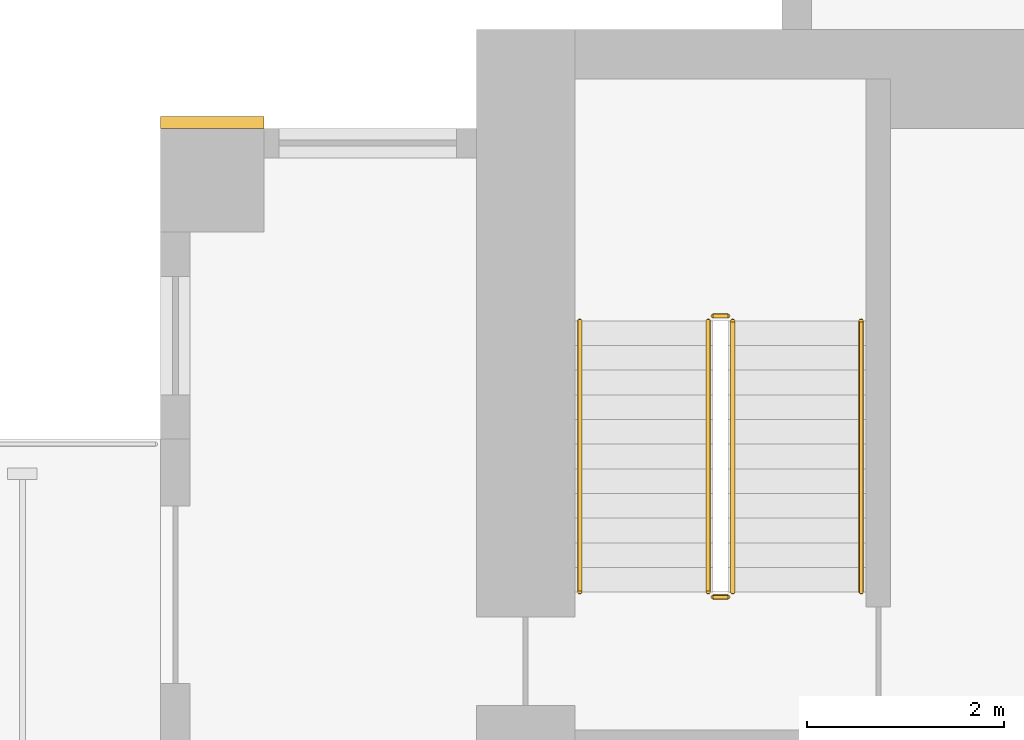
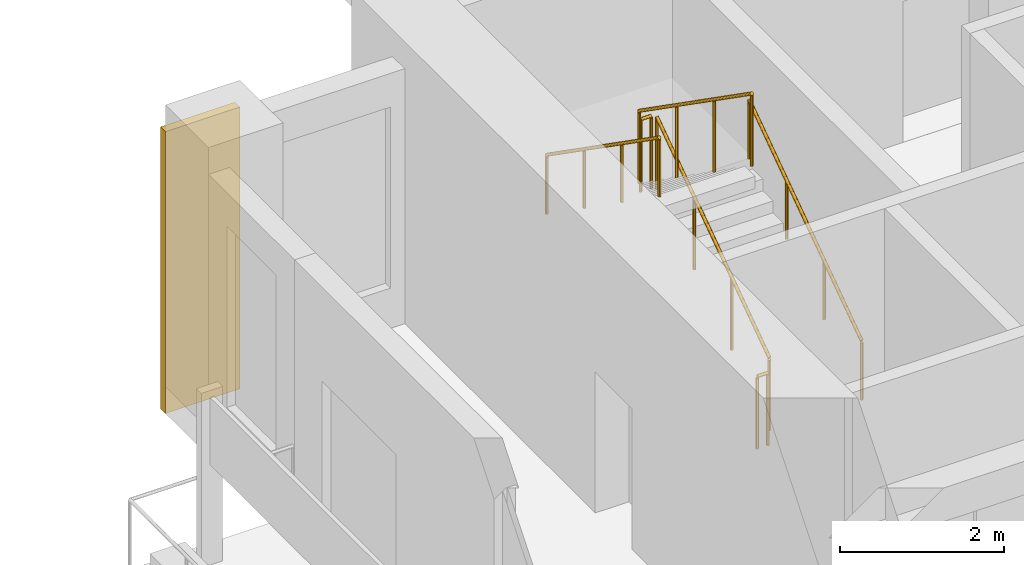
# One storey, part 12 of 15: 6 railings, 1 covering.
"""IFC4 building model written with IfcOpenShell, lengths in metres."""

import ifcopenshell
import ifcopenshell.guid

model = None  # the IFC model being written
_history = None  # IfcOwnerHistory: only IFC2X3 demands one
_inside = {}  # id of a spatial element -> (the spatial element, [elements in it])
_under = {}  # id of a project, library or spatial element -> (it, [spatial elements below it])
_declared = {}  # id of a project -> (the project, [libraries it declares])
_typed = {}  # id of a type object -> (the type object, [elements of that type])
_made_of = {}  # id of a material, layer set ... -> (it, [elements and type objects made of it])


def new_model(schema):
    """Start an empty IFC model of exactly this schema.

    Asked for "IFC4X3", IfcOpenShell would pick the latest addendum, in which some entities
    have other attributes; the version numbers below select the first issue.
    IFC2X3 requires an IfcOwnerHistory on every rooted entity: one is made here for all.
    """
    global model, _history
    if schema == "IFC4X3":
        model = ifcopenshell.file(schema_version=(4, 3, 0, 0))
    else:
        model = ifcopenshell.file(schema=schema)
    _inside.clear()
    _under.clear()
    _declared.clear()
    _typed.clear()
    _made_of.clear()
    _history = None
    if model.schema == "IFC2X3":
        org = make("IfcOrganization", Name="unknown")
        user = make(
            "IfcPersonAndOrganization",
            ThePerson=make("IfcPerson", FamilyName="unknown"),
            TheOrganization=org,
        )
        app = make(
            "IfcApplication",
            ApplicationDeveloper=org,
            Version="unknown",
            ApplicationFullName="unknown",
            ApplicationIdentifier="unknown",
        )
        _history = make(
            "IfcOwnerHistory",
            OwningUser=user,
            OwningApplication=app,
            ChangeAction="ADDED",
            CreationDate=0,
        )
    return model


def make(cls, **values):
    """One entity of the class cls with the attributes given. An attribute that is None is left unset."""
    return model.create_entity(
        cls, **{name: value for name, value in values.items() if value is not None}
    )


def rooted(cls, **values):
    """An entity with a GlobalId (a new one), such as an element, a storey or a relation."""
    return make(cls, GlobalId=ifcopenshell.guid.new(), OwnerHistory=_history, **values)


def si_unit(unit_type, name, prefix=None):
    """IfcSIUnit, for example si_unit("LENGTHUNIT", "METRE", prefix="MILLI")."""
    return make("IfcSIUnit", UnitType=unit_type, Prefix=prefix, Name=name)


def assignment(units):
    """IfcUnitAssignment: the units of a project."""
    return None if units is None else make("IfcUnitAssignment", Units=units)


def point(xyz):
    """IfcCartesianPoint."""
    return None if xyz is None else make("IfcCartesianPoint", Coordinates=xyz)


def direction(xyz):
    """IfcDirection."""
    return None if xyz is None else make("IfcDirection", DirectionRatios=xyz)


def frame(location, z_axis=None, x_axis=None):
    """IfcAxis2Placement3D, a coordinate frame: its origin and axes. An axis left out is left unset."""
    return make(
        "IfcAxis2Placement3D",
        Location=point(location),
        Axis=direction(z_axis),
        RefDirection=direction(x_axis),
    )


def frame_2d(location, x_axis=None):
    """IfcAxis2Placement2D, a coordinate frame in the plane: its origin and x axis."""
    return make(
        "IfcAxis2Placement2D", Location=point(location), RefDirection=direction(x_axis)
    )


def origin():
    """The frame at (0, 0, 0) with its axes left unset."""
    return frame((0.0, 0.0, 0.0))


def origin_2d():
    """The frame at (0, 0) in the plane with its x axis left unset."""
    return frame_2d((0.0, 0.0))


def place(relative_to, where):
    """IfcLocalPlacement: puts the frame where relative to a parent placement (None: the world)."""
    return make(
        "IfcLocalPlacement", PlacementRelTo=relative_to, RelativePlacement=where
    )


def context(
    kind, dimensions, precision=None, world=None, true_north=None, identifier=None
):
    """IfcGeometricRepresentationContext, for example the 3D "Model" context."""
    return make(
        "IfcGeometricRepresentationContext",
        ContextIdentifier=identifier,
        ContextType=kind,
        CoordinateSpaceDimension=dimensions,
        Precision=precision,
        WorldCoordinateSystem=world,
        TrueNorth=true_north,
    )


def subcontext(parent, identifier, kind, view, scale=None):
    """IfcGeometricRepresentationSubContext, for example "Body" below "Model"."""
    return make(
        "IfcGeometricRepresentationSubContext",
        ContextIdentifier=identifier,
        ContextType=kind,
        ParentContext=parent,
        TargetScale=scale,
        TargetView=view,
    )


def project(units=None, contexts=None):
    """IfcProject with its units and contexts."""
    return rooted(
        "IfcProject",
        Name="project",
        RepresentationContexts=contexts,
        UnitsInContext=assignment(units),
    )


def spatial(cls, under=None, at=None, **own):
    """A site, building, storey or space (cls), placed at a placement, below another one or the project."""
    s = rooted(cls, ObjectPlacement=at, **own)
    if under is not None:
        _under.setdefault(under.id(), (under, []))[1].append(s)
    return s


def profile(cls, at=None, kind="AREA", **sizes):
    """A parametric profile (cls). Its sizes go by their IFC names, for example OverallWidth=200.0."""
    return make(cls, ProfileType=kind, Position=at, **sizes)


def rectangle(**sizes):
    """IfcRectangleProfileDef."""
    return profile("IfcRectangleProfileDef", **sizes)


def circle(**sizes):
    """IfcCircleProfileDef."""
    return profile("IfcCircleProfileDef", **sizes)


def extrude(swept, where, along, depth):
    """IfcExtrudedAreaSolid: the profile swept, set in the frame where, extruded along a direction by depth."""
    return make(
        "IfcExtrudedAreaSolid",
        SweptArea=swept,
        Position=where,
        ExtrudedDirection=direction(along),
        Depth=depth,
    )


def shape(context_of_items, identifier, shape_type, items):
    """IfcShapeRepresentation: the items that make up one representation, for example the "Body"."""
    return make(
        "IfcShapeRepresentation",
        ContextOfItems=context_of_items,
        RepresentationIdentifier=identifier,
        RepresentationType=shape_type,
        Items=items,
    )


def source(mapping_origin, context_of_items, identifier, shape_type, items):
    """IfcRepresentationMap: a shape defined once, which mapped items show again and again."""
    return make(
        "IfcRepresentationMap",
        MappingOrigin=mapping_origin,
        MappedRepresentation=shape(context_of_items, identifier, shape_type, items),
    )


def transform(
    local_origin,
    x_axis=None,
    y_axis=None,
    z_axis=None,
    scale=None,
    scale2=None,
    scale3=None,
    uniform=True,
):
    """IfcCartesianTransformationOperator3D, or its non-uniform kind. x_axis, y_axis, z_axis: its Axis1, 2, 3."""
    if uniform:
        return make(
            "IfcCartesianTransformationOperator3D",
            Axis1=direction(x_axis),
            Axis2=direction(y_axis),
            LocalOrigin=point(local_origin),
            Scale=scale,
            Axis3=direction(z_axis),
        )
    return make(
        "IfcCartesianTransformationOperator3DnonUniform",
        Axis1=direction(x_axis),
        Axis2=direction(y_axis),
        LocalOrigin=point(local_origin),
        Scale=scale,
        Axis3=direction(z_axis),
        Scale2=scale2,
        Scale3=scale3,
    )


def mapped(mapping_source, mapping_target):
    """IfcMappedItem: shows the shape of a source again, moved by a transform."""
    return make(
        "IfcMappedItem", MappingSource=mapping_source, MappingTarget=mapping_target
    )


def material(Name=None, Category=None):
    """IfcMaterial."""
    return make("IfcMaterial", Name=Name, Category=Category)


def made_of(thing, what):
    """Note that an element or type object is made of a material, layer set ...; save() writes the relation."""
    if what is not None:
        _made_of.setdefault(what.id(), (what, []))[1].append(thing)
    return thing


def type_object(cls, material=None, **own):
    """A type object (cls), such as IfcWallType, which elements share."""
    return made_of(rooted(cls, **own), material)


def element(
    cls,
    number,
    at=None,
    inside=None,
    cuts=None,
    type_object=None,
    material=None,
    context=None,
    identifier="Body",
    shape_type=None,
    held_by="IfcProductDefinitionShape",
    body=None,
    shapes=None,
    **own,
):
    """One element of the class cls, such as IfcWall. Its Tag is "e" and its number.

    at: its placement. inside: the storey or other place that contains it. cuts: it is an
    opening in that element (IfcRelVoidsElement). A single representation is given by context,
    identifier, shape_type and body (its items); several are given by shapes. held_by: the class
    of the entity that holds the representations. save() writes the other relations.
    """
    e = rooted(cls, Tag="e%d" % number, ObjectPlacement=at, **own)
    if body is not None:
        shapes = [shape(context, identifier, shape_type, body)]
    if shapes is not None:
        e.Representation = make(held_by, Representations=shapes)
    if inside is not None:
        _inside.setdefault(inside.id(), (inside, []))[1].append(e)
    if cuts is not None:
        rooted(
            "IfcRelVoidsElement", RelatingBuildingElement=cuts, RelatedOpeningElement=e
        )
    if type_object is not None:
        _typed.setdefault(type_object.id(), (type_object, []))[1].append(e)
    return made_of(e, material)


def aggregate(whole, parts):
    """IfcRelAggregates: a whole, such as a stair, and the parts it consists of."""
    return rooted("IfcRelAggregates", RelatingObject=whole, RelatedObjects=parts)


def save(model, path):
    """Write the relations noted so far, then the file.

    IfcRelAggregates (storeys below a building ...), IfcRelContainedInSpatialStructure (elements
    in a storey), IfcRelDefinesByType, IfcRelAssociatesMaterial and IfcRelDeclares: one each for
    every whole, place, type object, material and project.
    """
    for whole, parts in _under.values():
        aggregate(whole, parts)
    for where, things in _inside.values():
        rooted(
            "IfcRelContainedInSpatialStructure",
            RelatedElements=things,
            RelatingStructure=where,
        )
    for kind, things in _typed.values():
        rooted("IfcRelDefinesByType", RelatedObjects=things, RelatingType=kind)
    for what, things in _made_of.values():
        rooted("IfcRelAssociatesMaterial", RelatedObjects=things, RelatingMaterial=what)
    for by, libraries in _declared.values():
        rooted("IfcRelDeclares", RelatingContext=by, RelatedDefinitions=libraries)
    model.write(path)


model = new_model("IFC4")

# Units and contexts
model_context = context("Model", 3, precision=1e-05, world=origin(), true_north=direction((0.0, 1.0)))
body_context = subcontext(model_context, "Body", "Model", "MODEL_VIEW")
ifc_project = project(units=[si_unit("LENGTHUNIT", "METRE"), si_unit("AREAUNIT", "SQUARE_METRE"), si_unit("VOLUMEUNIT", "CUBIC_METRE"), si_unit("PLANEANGLEUNIT", "RADIAN"), si_unit("MASSUNIT", "GRAM", prefix="KILO")], contexts=[model_context])

# Site, building, storey
site_placement = place(None, origin())
site = spatial("IfcSite", under=ifc_project, at=site_placement, CompositionType="ELEMENT")
building_placement = place(site_placement, origin())
building = spatial("IfcBuilding", under=site, at=building_placement, Name="Aurelian Terraces", CompositionType="ELEMENT")
storey_placement = place(building_placement, frame((0.0, 0.0, 107.7)))
storey = spatial("IfcBuildingStorey", under=building, at=storey_placement, Name="L23", CompositionType="ELEMENT", Elevation=107.7)

# Covering
ifc_material_1 = material(Name="Terracotta rainscreen cladding relief", Category="masonry")
covering_type = type_object("IfcCoveringType", Name="BAGUETTE-TC", PredefinedType="CLADDING", material=ifc_material_1)
shared_shape_1 = source(origin(), body_context, "Body", "SweptSolid", [
    extrude(rectangle(XDim=1.05, YDim=0.12, at=origin_2d()), origin(), (0.0, 0.0, 1.0), 4.2),
])
covering_placement = place(storey_placement, frame((0.525, 21.06, -0.4), z_axis=(0.0, 0.0, 1.0), x_axis=(1.0, 0.0, 0.0)))
element("IfcCovering", 1, at=covering_placement, inside=storey, type_object=covering_type, Name="BAGUETTE pier L23 6", PredefinedType="CLADDING", context=body_context, shape_type="MappedRepresentation", body=[
    mapped(shared_shape_1, transform((0.0, 0.0, 0.0), scale=1.0)),
])

# Railings
ifc_material_2 = material(Name="Stainless steel", Category="steel")
railing_type_1 = type_object("IfcRailingType", Name="Stair guard 1100", PredefinedType="GUARDRAIL", material=ifc_material_2)
shared_shape_2 = source(origin(), body_context, "Body", "SweptSolid", [
    extrude(circle(Radius=0.024, at=origin_2d()), frame((0.0, 0.0, 1.076), z_axis=(-1.0, 0.0, 0.0), x_axis=(0.0, -1.0, 0.0)), (0.0, 0.0, 1.0), 0.15),
    extrude(circle(Radius=0.021, at=origin_2d()), origin(), (0.0, 0.0, 1.0), 1.052),
    extrude(circle(Radius=0.021, at=origin_2d()), frame((-0.15, 0.0, 0.0)), (0.0, 0.0, 1.0), 1.052),
])
for number, where, name in (
    (2, (5.75, 19.1, 2.1), "L23 S1 stair guard 2"),
    (3, (5.75, 16.25, 0.0), "L23 S1 stair guard 4"),
):
    element("IfcRailing", number, at=place(storey_placement, frame(where)), inside=storey, type_object=railing_type_1, Name=name, PredefinedType="GUARDRAIL", context=body_context, shape_type="MappedRepresentation", body=[
        mapped(shared_shape_2, transform((0.0, 0.0, 0.0), scale=1.0)),
    ])
shared_shape_3 = source(origin(), body_context, "Body", "SweptSolid", [
    extrude(circle(Radius=0.024, at=origin_2d()), frame((0.0, 0.0, 1.076), z_axis=(0.0, 0.819231920519, 0.573462344363), x_axis=(-1.0, 0.0, 0.0)), (0.0, 0.0, 1.0), 3.3568),
    extrude(circle(Radius=0.021, at=origin_2d()), origin(), (0.0, 0.0, 1.0), 1.052),
    extrude(circle(Radius=0.021, at=origin_2d()), frame((0.0, 0.9167, 0.6417)), (0.0, 0.0, 1.0), 1.052),
    extrude(circle(Radius=0.021, at=origin_2d()), frame((0.0, 1.8333, 1.2833)), (0.0, 0.0, 1.0), 1.052),
    extrude(circle(Radius=0.021, at=origin_2d()), frame((0.0, 2.75, 1.925)), (0.0, 0.0, 1.0), 1.052),
])
railing_1_placement = place(storey_placement, frame((5.8, 16.3, 0.175)))
element("IfcRailing", 4, at=railing_1_placement, inside=storey, type_object=railing_type_1, Name="L23 S1 stair guard 1", PredefinedType="GUARDRAIL", context=body_context, shape_type="MappedRepresentation", body=[
    mapped(shared_shape_3, transform((0.0, 0.0, 0.0), scale=1.0)),
])
shared_shape_4 = source(origin(), body_context, "Body", "SweptSolid", [
    extrude(circle(Radius=0.024, at=origin_2d()), frame((0.0, 0.0, 1.076), z_axis=(0.0, -0.819231920519, 0.573462344363), x_axis=(1.0, 0.0, 0.0)), (0.0, 0.0, 1.0), 3.3568),
    extrude(circle(Radius=0.021, at=origin_2d()), origin(), (0.0, 0.0, 1.0), 1.052),
    extrude(circle(Radius=0.021, at=origin_2d()), frame((0.0, -0.9167, 0.6417)), (0.0, 0.0, 1.0), 1.052),
    extrude(circle(Radius=0.021, at=origin_2d()), frame((0.0, -1.8333, 1.2833)), (0.0, 0.0, 1.0), 1.052),
    extrude(circle(Radius=0.021, at=origin_2d()), frame((0.0, -2.75, 1.925)), (0.0, 0.0, 1.0), 1.052),
])
railing_2_placement = place(storey_placement, frame((5.55, 19.05, 2.275)))
element("IfcRailing", 5, at=railing_2_placement, inside=storey, type_object=railing_type_1, Name="L23 S1 stair guard 3", PredefinedType="GUARDRAIL", context=body_context, shape_type="MappedRepresentation", body=[
    mapped(shared_shape_4, transform((0.0, 0.0, 0.0), scale=1.0)),
])
railing_type_2 = type_object("IfcRailingType", Name="Stair handrail", PredefinedType="HANDRAIL", material=ifc_material_2)
shared_shape_5 = source(origin(), body_context, "Body", "SweptSolid", [
    extrude(circle(Radius=0.024, at=origin_2d()), frame((0.0, 0.0, 0.876), z_axis=(0.0, 0.819231920519, 0.573462344363), x_axis=(-1.0, 0.0, 0.0)), (0.0, 0.0, 1.0), 3.3568),
    extrude(circle(Radius=0.021, at=origin_2d()), origin(), (0.0, 0.0, 1.0), 0.852),
    extrude(circle(Radius=0.021, at=origin_2d()), frame((0.0, 0.9167, 0.6417)), (0.0, 0.0, 1.0), 0.852),
    extrude(circle(Radius=0.021, at=origin_2d()), frame((0.0, 1.8333, 1.2833)), (0.0, 0.0, 1.0), 0.852),
    extrude(circle(Radius=0.021, at=origin_2d()), frame((0.0, 2.75, 1.925)), (0.0, 0.0, 1.0), 0.852),
])
railing_3_placement = place(storey_placement, frame((7.1, 16.3, 0.175)))
element("IfcRailing", 6, at=railing_3_placement, inside=storey, type_object=railing_type_2, Name="L23 S1 stair handrail 1", PredefinedType="HANDRAIL", context=body_context, shape_type="MappedRepresentation", body=[
    mapped(shared_shape_5, transform((0.0, 0.0, 0.0), scale=1.0)),
])
shared_shape_6 = source(origin(), body_context, "Body", "SweptSolid", [
    extrude(circle(Radius=0.024, at=origin_2d()), frame((0.0, 0.0, 0.876), z_axis=(0.0, -0.819231920519, 0.573462344363), x_axis=(1.0, 0.0, 0.0)), (0.0, 0.0, 1.0), 3.3568),
    extrude(circle(Radius=0.021, at=origin_2d()), origin(), (0.0, 0.0, 1.0), 0.852),
    extrude(circle(Radius=0.021, at=origin_2d()), frame((0.0, -0.9167, 0.6417)), (0.0, 0.0, 1.0), 0.852),
    extrude(circle(Radius=0.021, at=origin_2d()), frame((0.0, -1.8333, 1.2833)), (0.0, 0.0, 1.0), 0.852),
    extrude(circle(Radius=0.021, at=origin_2d()), frame((0.0, -2.75, 1.925)), (0.0, 0.0, 1.0), 0.852),
])
railing_4_placement = place(storey_placement, frame((4.25, 19.05, 2.275)))
element("IfcRailing", 7, at=railing_4_placement, inside=storey, type_object=railing_type_2, Name="L23 S1 stair handrail 2", PredefinedType="HANDRAIL", context=body_context, shape_type="MappedRepresentation", body=[
    mapped(shared_shape_6, transform((0.0, 0.0, 0.0), scale=1.0)),
])

save(model, "model.ifc")
